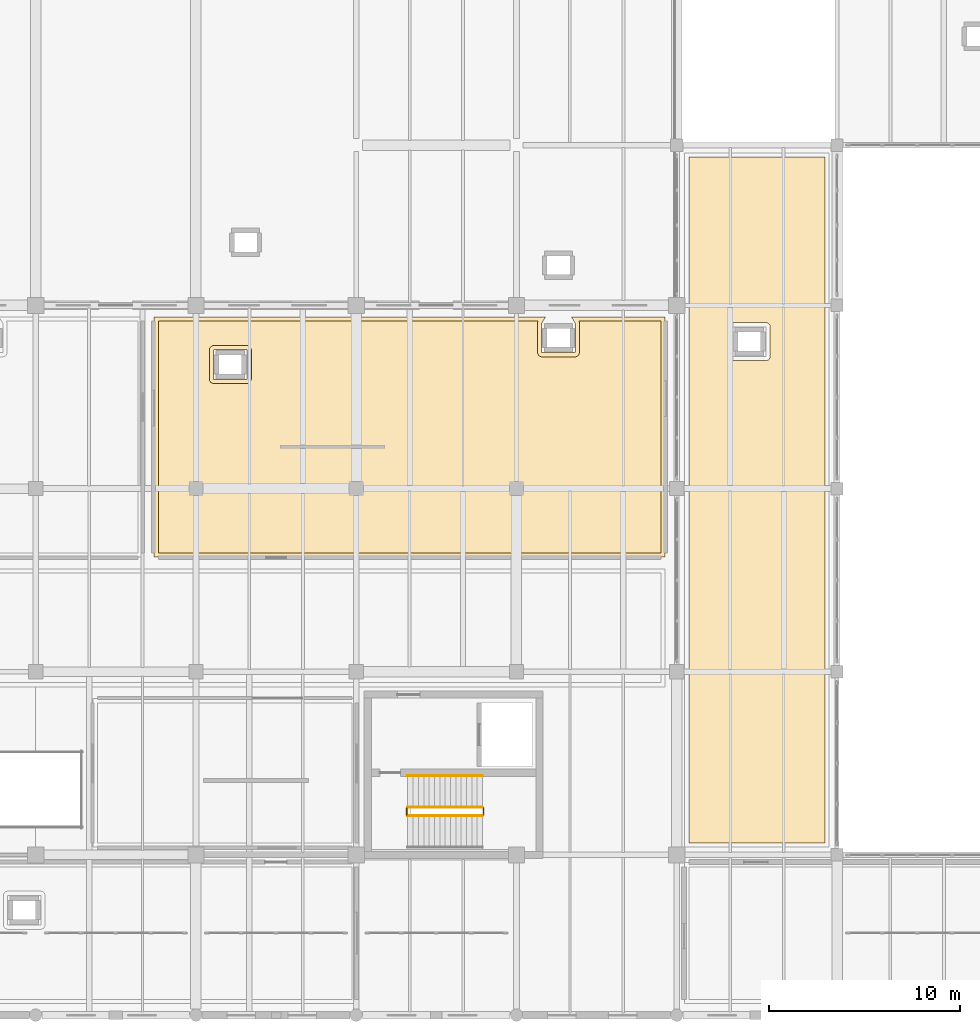
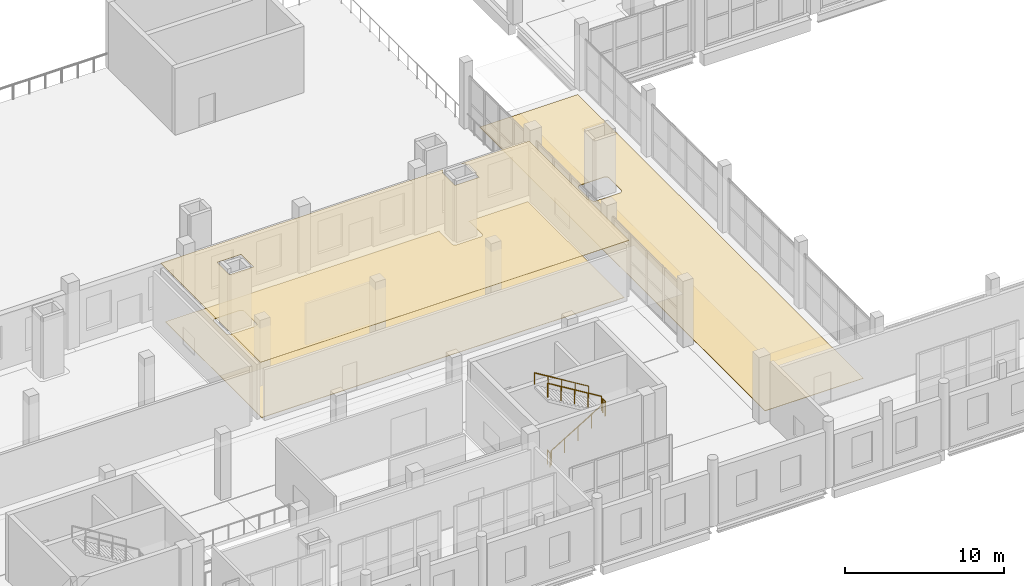
# One storey, part 67 of 73: 5 railings, 3 coverings.
"""IFC4 building model written with IfcOpenShell, lengths in metres."""

import ifcopenshell
import ifcopenshell.guid

model = None  # the IFC model being written
_history = None  # IfcOwnerHistory: only IFC2X3 demands one
_inside = {}  # id of a spatial element -> (the spatial element, [elements in it])
_under = {}  # id of a project, library or spatial element -> (it, [spatial elements below it])
_declared = {}  # id of a project -> (the project, [libraries it declares])
_typed = {}  # id of a type object -> (the type object, [elements of that type])
_made_of = {}  # id of a material, layer set ... -> (it, [elements and type objects made of it])


def new_model(schema):
    """Start an empty IFC model of exactly this schema.

    Asked for "IFC4X3", IfcOpenShell would pick the latest addendum, in which some entities
    have other attributes; the version numbers below select the first issue.
    IFC2X3 requires an IfcOwnerHistory on every rooted entity: one is made here for all.
    """
    global model, _history
    if schema == "IFC4X3":
        model = ifcopenshell.file(schema_version=(4, 3, 0, 0))
    else:
        model = ifcopenshell.file(schema=schema)
    _inside.clear()
    _under.clear()
    _declared.clear()
    _typed.clear()
    _made_of.clear()
    _history = None
    if model.schema == "IFC2X3":
        org = make("IfcOrganization", Name="unknown")
        user = make(
            "IfcPersonAndOrganization",
            ThePerson=make("IfcPerson", FamilyName="unknown"),
            TheOrganization=org,
        )
        app = make(
            "IfcApplication",
            ApplicationDeveloper=org,
            Version="unknown",
            ApplicationFullName="unknown",
            ApplicationIdentifier="unknown",
        )
        _history = make(
            "IfcOwnerHistory",
            OwningUser=user,
            OwningApplication=app,
            ChangeAction="ADDED",
            CreationDate=0,
        )
    return model


def make(cls, **values):
    """One entity of the class cls with the attributes given. An attribute that is None is left unset."""
    return model.create_entity(
        cls, **{name: value for name, value in values.items() if value is not None}
    )


def rooted(cls, **values):
    """An entity with a GlobalId (a new one), such as an element, a storey or a relation."""
    return make(cls, GlobalId=ifcopenshell.guid.new(), OwnerHistory=_history, **values)


def si_unit(unit_type, name, prefix=None):
    """IfcSIUnit, for example si_unit("LENGTHUNIT", "METRE", prefix="MILLI")."""
    return make("IfcSIUnit", UnitType=unit_type, Prefix=prefix, Name=name)


def assignment(units):
    """IfcUnitAssignment: the units of a project."""
    return None if units is None else make("IfcUnitAssignment", Units=units)


def point(xyz):
    """IfcCartesianPoint."""
    return None if xyz is None else make("IfcCartesianPoint", Coordinates=xyz)


def direction(xyz):
    """IfcDirection."""
    return None if xyz is None else make("IfcDirection", DirectionRatios=xyz)


def frame(location, z_axis=None, x_axis=None):
    """IfcAxis2Placement3D, a coordinate frame: its origin and axes. An axis left out is left unset."""
    return make(
        "IfcAxis2Placement3D",
        Location=point(location),
        Axis=direction(z_axis),
        RefDirection=direction(x_axis),
    )


def frame_2d(location, x_axis=None):
    """IfcAxis2Placement2D, a coordinate frame in the plane: its origin and x axis."""
    return make(
        "IfcAxis2Placement2D", Location=point(location), RefDirection=direction(x_axis)
    )


def origin():
    """The frame at (0, 0, 0) with its axes left unset."""
    return frame((0.0, 0.0, 0.0))


def origin_2d():
    """The frame at (0, 0) in the plane with its x axis left unset."""
    return frame_2d((0.0, 0.0))


def place(relative_to, where):
    """IfcLocalPlacement: puts the frame where relative to a parent placement (None: the world)."""
    return make(
        "IfcLocalPlacement", PlacementRelTo=relative_to, RelativePlacement=where
    )


def context(
    kind, dimensions, precision=None, world=None, true_north=None, identifier=None
):
    """IfcGeometricRepresentationContext, for example the 3D "Model" context."""
    return make(
        "IfcGeometricRepresentationContext",
        ContextIdentifier=identifier,
        ContextType=kind,
        CoordinateSpaceDimension=dimensions,
        Precision=precision,
        WorldCoordinateSystem=world,
        TrueNorth=true_north,
    )


def subcontext(parent, identifier, kind, view, scale=None):
    """IfcGeometricRepresentationSubContext, for example "Body" below "Model"."""
    return make(
        "IfcGeometricRepresentationSubContext",
        ContextIdentifier=identifier,
        ContextType=kind,
        ParentContext=parent,
        TargetScale=scale,
        TargetView=view,
    )


def project(units=None, contexts=None):
    """IfcProject with its units and contexts."""
    return rooted(
        "IfcProject",
        Name="project",
        RepresentationContexts=contexts,
        UnitsInContext=assignment(units),
    )


def spatial(cls, under=None, at=None, **own):
    """A site, building, storey or space (cls), placed at a placement, below another one or the project."""
    s = rooted(cls, ObjectPlacement=at, **own)
    if under is not None:
        _under.setdefault(under.id(), (under, []))[1].append(s)
    return s


def polyline(points):
    """IfcPolyline through the points."""
    return make("IfcPolyline", Points=[point(p) for p in points])


def profile(cls, at=None, kind="AREA", **sizes):
    """A parametric profile (cls). Its sizes go by their IFC names, for example OverallWidth=200.0."""
    return make(cls, ProfileType=kind, Position=at, **sizes)


def circle(**sizes):
    """IfcCircleProfileDef."""
    return profile("IfcCircleProfileDef", **sizes)


def outline(outer, holes=None, kind="AREA"):
    """IfcArbitraryClosedProfileDef: a profile drawn as a closed curve; with holes, ...WithVoids."""
    if holes is None:
        return make("IfcArbitraryClosedProfileDef", ProfileType=kind, OuterCurve=outer)
    return make(
        "IfcArbitraryProfileDefWithVoids",
        ProfileType=kind,
        OuterCurve=outer,
        InnerCurves=holes,
    )


def extrude(swept, where, along, depth):
    """IfcExtrudedAreaSolid: the profile swept, set in the frame where, extruded along a direction by depth."""
    return make(
        "IfcExtrudedAreaSolid",
        SweptArea=swept,
        Position=where,
        ExtrudedDirection=direction(along),
        Depth=depth,
    )


def shape(context_of_items, identifier, shape_type, items):
    """IfcShapeRepresentation: the items that make up one representation, for example the "Body"."""
    return make(
        "IfcShapeRepresentation",
        ContextOfItems=context_of_items,
        RepresentationIdentifier=identifier,
        RepresentationType=shape_type,
        Items=items,
    )


def material(Name=None, Category=None):
    """IfcMaterial."""
    return make("IfcMaterial", Name=Name, Category=Category)


def layer(
    of_material, thickness, ventilated=None, Name=None, Category=None, Priority=None
):
    """IfcMaterialLayer: one layer of a wall or slab, of a material (None: an air gap)."""
    return make(
        "IfcMaterialLayer",
        Material=of_material,
        LayerThickness=thickness,
        IsVentilated=ventilated,
        Name=Name,
        Category=Category,
        Priority=Priority,
    )


def layer_set(layers, Name=None):
    """IfcMaterialLayerSet."""
    return make("IfcMaterialLayerSet", MaterialLayers=layers, LayerSetName=Name)


def made_of(thing, what):
    """Note that an element or type object is made of a material, layer set ...; save() writes the relation."""
    if what is not None:
        _made_of.setdefault(what.id(), (what, []))[1].append(thing)
    return thing


def type_object(cls, material=None, **own):
    """A type object (cls), such as IfcWallType, which elements share."""
    return made_of(rooted(cls, **own), material)


def element(
    cls,
    number,
    at=None,
    inside=None,
    cuts=None,
    type_object=None,
    material=None,
    context=None,
    identifier="Body",
    shape_type=None,
    held_by="IfcProductDefinitionShape",
    body=None,
    shapes=None,
    **own,
):
    """One element of the class cls, such as IfcWall. Its Tag is "e" and its number.

    at: its placement. inside: the storey or other place that contains it. cuts: it is an
    opening in that element (IfcRelVoidsElement). A single representation is given by context,
    identifier, shape_type and body (its items); several are given by shapes. held_by: the class
    of the entity that holds the representations. save() writes the other relations.
    """
    e = rooted(cls, Tag="e%d" % number, ObjectPlacement=at, **own)
    if body is not None:
        shapes = [shape(context, identifier, shape_type, body)]
    if shapes is not None:
        e.Representation = make(held_by, Representations=shapes)
    if inside is not None:
        _inside.setdefault(inside.id(), (inside, []))[1].append(e)
    if cuts is not None:
        rooted(
            "IfcRelVoidsElement", RelatingBuildingElement=cuts, RelatedOpeningElement=e
        )
    if type_object is not None:
        _typed.setdefault(type_object.id(), (type_object, []))[1].append(e)
    return made_of(e, material)


def aggregate(whole, parts):
    """IfcRelAggregates: a whole, such as a stair, and the parts it consists of."""
    return rooted("IfcRelAggregates", RelatingObject=whole, RelatedObjects=parts)


def save(model, path):
    """Write the relations noted so far, then the file.

    IfcRelAggregates (storeys below a building ...), IfcRelContainedInSpatialStructure (elements
    in a storey), IfcRelDefinesByType, IfcRelAssociatesMaterial and IfcRelDeclares: one each for
    every whole, place, type object, material and project.
    """
    for whole, parts in _under.values():
        aggregate(whole, parts)
    for where, things in _inside.values():
        rooted(
            "IfcRelContainedInSpatialStructure",
            RelatedElements=things,
            RelatingStructure=where,
        )
    for kind, things in _typed.values():
        rooted("IfcRelDefinesByType", RelatedObjects=things, RelatingType=kind)
    for what, things in _made_of.values():
        rooted("IfcRelAssociatesMaterial", RelatedObjects=things, RelatingMaterial=what)
    for by, libraries in _declared.values():
        rooted("IfcRelDeclares", RelatingContext=by, RelatedDefinitions=libraries)
    model.write(path)


model = new_model("IFC4")

# Units and contexts
model_context = context("Model", 3, precision=1e-05, world=origin(), true_north=direction((0.0, 1.0)))
body_context = subcontext(model_context, "Body", "Model", "MODEL_VIEW")
ifc_project = project(units=[si_unit("LENGTHUNIT", "METRE"), si_unit("AREAUNIT", "SQUARE_METRE"), si_unit("VOLUMEUNIT", "CUBIC_METRE"), si_unit("PLANEANGLEUNIT", "RADIAN"), si_unit("MASSUNIT", "GRAM", prefix="KILO")], contexts=[model_context])

# Site, building, storey
site_placement = place(None, origin())
site = spatial("IfcSite", under=ifc_project, at=site_placement, CompositionType="ELEMENT")
building_placement = place(site_placement, origin())
building = spatial("IfcBuilding", under=site, at=building_placement, Name="Zulmaris Art Gallery", CompositionType="ELEMENT")
storey_placement = place(building_placement, frame((0.0, 0.0, 10.5)))
storey = spatial("IfcBuildingStorey", under=building, at=storey_placement, Name="L02", CompositionType="ELEMENT", Elevation=10.5)

# Coverings
ifc_material_1 = material(Name="Micro-Perforated Gypsum Acoustic Ceiling", Category="gypsum")
ifc_layer_1 = layer(ifc_material_1, 0.02490234375)
ifc_layer_set_1 = layer_set([ifc_layer_1], Name="Micro-Perforated Gypsum Acoustic Ceiling")
covering_type_1 = type_object("IfcCoveringType", Name="COV-CL01", PredefinedType="CEILING", material=ifc_layer_set_1)
covering_1_placement = place(storey_placement, frame((0.0, 0.0, 4.449951171875)))
element("IfcCovering", 1, at=covering_1_placement, inside=storey, type_object=covering_type_1, Name="Terrace Overlook Salon acoustic ceiling", PredefinedType="CEILING", context=body_context, shape_type="SweptSolid", body=[
    extrude(outline(polyline([(75.721435546875, 49.45849609375), (75.720703125, 49.455810546875), (75.720458984375, 49.452880859375), (75.719970703125, 49.444580078125), (75.719970703125, 47.955322265625), (75.720458984375, 47.947021484375), (75.720703125, 47.944091796875), (75.721435546875, 47.94140625), (75.722412109375, 47.938720703125), (75.723876953125, 47.93603515625), (75.725341796875, 47.93359375), (75.72705078125, 47.93115234375), (75.72900390625, 47.928955078125), (75.731201171875, 47.927001953125), (75.7333984375, 47.92529296875), (75.736083984375, 47.923828125), (75.738525390625, 47.922607421875), (75.741455078125, 47.92138671875), (75.744140625, 47.9208984375), (75.7470703125, 47.92041015625), (75.75537109375, 47.919921875), (77.444580078125, 47.919921875), (77.452880859375, 47.92041015625), (77.455810546875, 47.9208984375), (77.45849609375, 47.92138671875), (77.46142578125, 47.922607421875), (77.464111328125, 47.923828125), (77.466552734375, 47.92529296875), (77.468994140625, 47.927001953125), (77.470947265625, 47.928955078125), (77.472900390625, 47.93115234375), (77.474609375, 47.93359375), (77.476318359375, 47.93603515625), (77.4775390625, 47.938720703125), (77.478515625, 47.94140625), (77.479248046875, 47.944091796875), (77.4794921875, 47.947021484375), (77.47998046875, 47.955322265625), (77.47998046875, 49.444580078125), (77.4794921875, 49.452880859375), (77.479248046875, 49.455810546875), (77.478515625, 49.45849609375), (77.4775390625, 49.46142578125), (77.476318359375, 49.464111328125), (77.28076171875, 49.7900390625), (82.18994140625, 49.7900390625), (82.18994140625, 37.2099609375), (55.409912109375, 37.2099609375), (55.409912109375, 49.7900390625), (75.919189453125, 49.7900390625), (75.723876953125, 49.464111328125), (75.722412109375, 49.46142578125), (75.721435546875, 49.45849609375)]), holes=[polyline([(58.54150390625, 48.07861328125), (58.53857421875, 48.077392578125), (58.535888671875, 48.076171875), (58.533447265625, 48.07470703125), (58.531005859375, 48.072998046875), (58.529052734375, 48.071044921875), (58.527099609375, 48.06884765625), (58.525390625, 48.06640625), (58.523681640625, 48.06396484375), (58.5224609375, 48.061279296875), (58.521484375, 48.05859375), (58.520751953125, 48.055908203125), (58.5205078125, 48.052978515625), (58.52001953125, 48.044677734375), (58.52001953125, 46.555419921875), (58.5205078125, 46.547119140625), (58.520751953125, 46.544189453125), (58.521484375, 46.54150390625), (58.5224609375, 46.53857421875), (58.523681640625, 46.535888671875), (58.525390625, 46.533447265625), (58.527099609375, 46.531005859375), (58.529052734375, 46.529052734375), (58.531005859375, 46.527099609375), (58.533447265625, 46.525390625), (58.535888671875, 46.523681640625), (58.53857421875, 46.5224609375), (58.54150390625, 46.521484375), (58.544189453125, 46.520751953125), (58.547119140625, 46.5205078125), (58.555419921875, 46.52001953125), (60.24462890625, 46.52001953125), (60.2529296875, 46.5205078125), (60.255859375, 46.520751953125), (60.258544921875, 46.521484375), (60.261474609375, 46.5224609375), (60.263916015625, 46.523681640625), (60.2666015625, 46.525390625), (60.268798828125, 46.527099609375), (60.27099609375, 46.529052734375), (60.27294921875, 46.531005859375), (60.274658203125, 46.533447265625), (60.276123046875, 46.535888671875), (60.277587890625, 46.53857421875), (60.278564453125, 46.54150390625), (60.279296875, 46.544189453125), (60.279541015625, 46.547119140625), (60.280029296875, 46.555419921875), (60.280029296875, 48.044677734375), (60.279541015625, 48.052978515625), (60.279296875, 48.055908203125), (60.278564453125, 48.05859375), (60.277587890625, 48.061279296875), (60.276123046875, 48.06396484375), (60.274658203125, 48.06640625), (60.27294921875, 48.06884765625), (60.27099609375, 48.071044921875), (60.268798828125, 48.072998046875), (60.2666015625, 48.07470703125), (60.263916015625, 48.076171875), (60.261474609375, 48.077392578125), (60.258544921875, 48.07861328125), (60.255859375, 48.0791015625), (60.2529296875, 48.07958984375), (60.24462890625, 48.080078125), (58.555419921875, 48.080078125), (58.547119140625, 48.07958984375), (58.544189453125, 48.0791015625), (58.54150390625, 48.07861328125)])]), origin(), (0.0, 0.0, 1.0), 0.030029296875),
])
ifc_material_2 = material(Name="Honed Omani Limestone Terrazzo Flooring", Category="masonry")
ifc_layer_2 = layer(ifc_material_2, 0.0400390625)
ifc_layer_set_2 = layer_set([ifc_layer_2], Name="Honed Omani Limestone Terrazzo Flooring")
covering_type_2 = type_object("IfcCoveringType", Name="COV-FL01", PredefinedType="FLOORING", material=ifc_layer_set_2)
covering_2_placement = place(storey_placement, origin())
element("IfcCovering", 2, at=covering_2_placement, inside=storey, type_object=covering_type_2, Name="Terrace Overlook Salon finish flooring", PredefinedType="FLOORING", context=body_context, shape_type="SweptSolid", body=[
    extrude(outline(polyline([(75.529541015625, 49.56787109375), (75.51904296875, 49.545654296875), (75.5107421875, 49.522705078125), (75.5048828125, 49.498779296875), (75.501220703125, 49.474609375), (75.5, 49.449951171875), (75.5, 47.949951171875), (75.501220703125, 47.925537109375), (75.5048828125, 47.901123046875), (75.5107421875, 47.87744140625), (75.51904296875, 47.854248046875), (75.529541015625, 47.832275390625), (75.5419921875, 47.81103515625), (75.556640625, 47.79150390625), (75.5732421875, 47.773193359375), (75.59130859375, 47.756591796875), (75.611083984375, 47.7421875), (75.632080078125, 47.7294921875), (75.654296875, 47.718994140625), (75.677490234375, 47.710693359375), (75.701171875, 47.704833984375), (75.7255859375, 47.701171875), (75.75, 47.699951171875), (77.449951171875, 47.699951171875), (77.474609375, 47.701171875), (77.498779296875, 47.704833984375), (77.522705078125, 47.710693359375), (77.545654296875, 47.718994140625), (77.56787109375, 47.7294921875), (77.5888671875, 47.7421875), (77.608642578125, 47.756591796875), (77.626708984375, 47.773193359375), (77.643310546875, 47.79150390625), (77.657958984375, 47.81103515625), (77.67041015625, 47.832275390625), (77.680908203125, 47.854248046875), (77.689208984375, 47.87744140625), (77.6953125, 47.901123046875), (77.69873046875, 47.925537109375), (77.699951171875, 47.949951171875), (77.699951171875, 49.449951171875), (77.69873046875, 49.474609375), (77.6953125, 49.498779296875), (77.689208984375, 49.522705078125), (77.680908203125, 49.545654296875), (77.67041015625, 49.56787109375), (77.669189453125, 49.570068359375), (81.969970703125, 49.570068359375), (81.969970703125, 37.429931640625), (55.6298828125, 37.429931640625), (55.6298828125, 49.570068359375), (75.53076171875, 49.570068359375), (75.529541015625, 49.56787109375)]), holes=[polyline([(58.525390625, 48.298828125), (58.501220703125, 48.295166015625), (58.477294921875, 48.289306640625), (58.454345703125, 48.281005859375), (58.43212890625, 48.2705078125), (58.4111328125, 48.2578125), (58.391357421875, 48.243408203125), (58.373291015625, 48.226806640625), (58.356689453125, 48.20849609375), (58.342041015625, 48.18896484375), (58.32958984375, 48.167724609375), (58.319091796875, 48.145751953125), (58.310791015625, 48.12255859375), (58.3046875, 48.098876953125), (58.30126953125, 48.074462890625), (58.300048828125, 48.050048828125), (58.300048828125, 46.550048828125), (58.30126953125, 46.525390625), (58.3046875, 46.501220703125), (58.310791015625, 46.477294921875), (58.319091796875, 46.454345703125), (58.32958984375, 46.43212890625), (58.342041015625, 46.4111328125), (58.356689453125, 46.391357421875), (58.373291015625, 46.373291015625), (58.391357421875, 46.356689453125), (58.4111328125, 46.342041015625), (58.43212890625, 46.32958984375), (58.454345703125, 46.319091796875), (58.477294921875, 46.310791015625), (58.501220703125, 46.3046875), (58.525390625, 46.30126953125), (58.550048828125, 46.300048828125), (60.25, 46.300048828125), (60.2744140625, 46.30126953125), (60.298828125, 46.3046875), (60.322509765625, 46.310791015625), (60.345703125, 46.319091796875), (60.367919921875, 46.32958984375), (60.388916015625, 46.342041015625), (60.40869140625, 46.356689453125), (60.4267578125, 46.373291015625), (60.443359375, 46.391357421875), (60.4580078125, 46.4111328125), (60.470458984375, 46.43212890625), (60.48095703125, 46.454345703125), (60.4892578125, 46.477294921875), (60.4951171875, 46.501220703125), (60.498779296875, 46.525390625), (60.5, 46.550048828125), (60.5, 48.050048828125), (60.498779296875, 48.074462890625), (60.4951171875, 48.098876953125), (60.4892578125, 48.12255859375), (60.48095703125, 48.145751953125), (60.470458984375, 48.167724609375), (60.4580078125, 48.18896484375), (60.443359375, 48.20849609375), (60.4267578125, 48.226806640625), (60.40869140625, 48.243408203125), (60.388916015625, 48.2578125), (60.367919921875, 48.2705078125), (60.345703125, 48.281005859375), (60.322509765625, 48.289306640625), (60.298828125, 48.295166015625), (60.2744140625, 48.298828125), (60.25, 48.300048828125), (58.550048828125, 48.300048828125), (58.525390625, 48.298828125)])]), origin(), (0.0, 0.0, 1.0), 0.034912109375),
])
ifc_material_3 = material(Name="Oiled European Oak Gallery Parquet Flooring", Category="timber")
ifc_layer_3 = layer(ifc_material_3, 0.030029296875)
ifc_layer_set_3 = layer_set([ifc_layer_3], Name="Oiled European Oak Gallery Parquet Flooring")
covering_type_3 = type_object("IfcCoveringType", Name="COV-FL02", PredefinedType="FLOORING", material=ifc_layer_set_3)
covering_3_placement = place(storey_placement, origin())
element("IfcCovering", 3, at=covering_3_placement, inside=storey, type_object=covering_type_3, Name="Bridge Miniature Painting Gallery finish flooring", PredefinedType="FLOORING", context=body_context, shape_type="SweptSolid", body=[
    extrude(outline(polyline([(90.570068359375, 22.22998046875), (83.429931640625, 22.22998046875), (83.429931640625, 58.169921875), (90.570068359375, 58.169921875), (90.570068359375, 22.22998046875)]), holes=[polyline([(85.7255859375, 49.498779296875), (85.701171875, 49.4951171875), (85.677490234375, 49.4892578125), (85.654296875, 49.48095703125), (85.632080078125, 49.470458984375), (85.611083984375, 49.4580078125), (85.59130859375, 49.443359375), (85.5732421875, 49.4267578125), (85.556640625, 49.40869140625), (85.5419921875, 49.388916015625), (85.529541015625, 49.367919921875), (85.51904296875, 49.345703125), (85.5107421875, 49.322509765625), (85.5048828125, 49.298828125), (85.501220703125, 49.2744140625), (85.5, 49.25), (85.5, 47.75), (85.501220703125, 47.7255859375), (85.5048828125, 47.701171875), (85.5107421875, 47.677490234375), (85.51904296875, 47.654296875), (85.529541015625, 47.632080078125), (85.5419921875, 47.611083984375), (85.556640625, 47.59130859375), (85.5732421875, 47.5732421875), (85.59130859375, 47.556640625), (85.611083984375, 47.5419921875), (85.632080078125, 47.529541015625), (85.654296875, 47.51904296875), (85.677490234375, 47.5107421875), (85.701171875, 47.5048828125), (85.7255859375, 47.501220703125), (85.75, 47.5), (87.449951171875, 47.5), (87.474609375, 47.501220703125), (87.498779296875, 47.5048828125), (87.522705078125, 47.5107421875), (87.545654296875, 47.51904296875), (87.56787109375, 47.529541015625), (87.5888671875, 47.5419921875), (87.608642578125, 47.556640625), (87.626708984375, 47.5732421875), (87.643310546875, 47.59130859375), (87.657958984375, 47.611083984375), (87.67041015625, 47.632080078125), (87.680908203125, 47.654296875), (87.689208984375, 47.677490234375), (87.6953125, 47.701171875), (87.69873046875, 47.7255859375), (87.699951171875, 47.75), (87.699951171875, 49.25), (87.69873046875, 49.2744140625), (87.6953125, 49.298828125), (87.689208984375, 49.322509765625), (87.680908203125, 49.345703125), (87.67041015625, 49.367919921875), (87.657958984375, 49.388916015625), (87.643310546875, 49.40869140625), (87.626708984375, 49.4267578125), (87.608642578125, 49.443359375), (87.5888671875, 49.4580078125), (87.56787109375, 49.470458984375), (87.545654296875, 49.48095703125), (87.522705078125, 49.4892578125), (87.498779296875, 49.4951171875), (87.474609375, 49.498779296875), (87.449951171875, 49.5), (85.75, 49.5), (85.7255859375, 49.498779296875)])]), origin(), (0.0, 0.0, 1.0), 0.034912109375),
])

# Railings
ifc_material_4 = material(Name="Steel S355J2", Category="steel")
ifc_layer_4 = layer(ifc_material_4, 0.050048828125)
ifc_layer_set_4 = layer_set([ifc_layer_4], Name="Steel S355J2")
railing_type_1 = type_object("IfcRailingType", Name="RAIL-STGRD", PredefinedType="GUARDRAIL", material=ifc_layer_set_4)
railing_1_placement = place(storey_placement, frame((68.699951171875, 23.64990234375, 0.169921875)))
element("IfcRailing", 4, at=railing_1_placement, inside=storey, type_object=railing_type_1, Name="L02 ST2 stair guard 1", PredefinedType="GUARDRAIL", context=body_context, shape_type="SweptSolid", body=[
    extrude(circle(Radius=0.02392578125, at=origin_2d()), frame((0.0, 0.0, 1.076171875), z_axis=(0.854784984964, 0.0, 0.518982301701), x_axis=(0.0, 1.0, 0.0)), (0.0, 0.0, 1.0), 4.586181640625),
    extrude(circle(Radius=0.02099609375, at=origin_2d()), origin(), (0.0, 0.0, 1.0), 1.052001953125),
    extrude(circle(Radius=0.02099609375, at=origin_2d()), frame((0.97998046875, 0.0, 0.594970703125)), (0.0, 0.0, 1.0), 1.052001953125),
    extrude(circle(Radius=0.02099609375, at=origin_2d()), frame((1.9599609375, 0.0, 1.18994140625)), (0.0, 0.0, 1.0), 1.052001953125),
    extrude(circle(Radius=0.02099609375, at=origin_2d()), frame((2.940185546875, 0.0, 1.78515625)), (0.0, 0.0, 1.0), 1.052001953125),
    extrude(circle(Radius=0.02099609375, at=origin_2d()), frame((3.920166015625, 0.0, 2.380126953125)), (0.0, 0.0, 1.0), 1.052001953125),
])
railing_2_placement = place(storey_placement, frame((72.669921875, 23.699951171875, 2.550048828125)))
element("IfcRailing", 5, at=railing_2_placement, inside=storey, type_object=railing_type_1, Name="L02 ST2 stair guard 2", PredefinedType="GUARDRAIL", context=body_context, shape_type="SweptSolid", body=[
    extrude(circle(Radius=0.02392578125, at=origin_2d()), frame((0.0, 0.0, 1.076171875), z_axis=(0.0, 1.0, 0.0), x_axis=(-1.0, 0.0, 0.0)), (0.0, 0.0, 1.0), 0.340087890625),
    extrude(circle(Radius=0.02099609375, at=origin_2d()), origin(), (0.0, 0.0, 1.0), 1.052001953125),
    extrude(circle(Radius=0.02099609375, at=origin_2d()), frame((0.0, 0.340087890625, 0.0)), (0.0, 0.0, 1.0), 1.052001953125),
])
railing_3_placement = place(storey_placement, frame((72.6201171875, 24.090087890625, 2.719970703125)))
element("IfcRailing", 6, at=railing_3_placement, inside=storey, type_object=railing_type_1, Name="L02 ST2 stair guard 3", PredefinedType="GUARDRAIL", context=body_context, shape_type="SweptSolid", body=[
    extrude(circle(Radius=0.02392578125, at=origin_2d()), frame((0.0, 0.0, 1.076171875), z_axis=(-0.854784984964, 0.0, 0.518982301701), x_axis=(0.0, -1.0, 0.0)), (0.0, 0.0, 1.0), 4.586181640625),
    extrude(circle(Radius=0.02099609375, at=origin_2d()), origin(), (0.0, 0.0, 1.0), 1.052001953125),
    extrude(circle(Radius=0.02099609375, at=origin_2d()), frame((-0.97998046875, 0.0, 0.594970703125)), (0.0, 0.0, 1.0), 1.052001953125),
    extrude(circle(Radius=0.02099609375, at=origin_2d()), frame((-1.9599609375, 0.0, 1.18994140625)), (0.0, 0.0, 1.0), 1.052001953125),
    extrude(circle(Radius=0.02099609375, at=origin_2d()), frame((-2.940185546875, 0.0, 1.78515625)), (0.0, 0.0, 1.0), 1.052001953125),
    extrude(circle(Radius=0.02099609375, at=origin_2d()), frame((-3.920166015625, 0.0, 2.380126953125)), (0.0, 0.0, 1.0), 1.052001953125),
])
railing_4_placement = place(storey_placement, frame((68.64990234375, 23.699951171875, 0.0)))
element("IfcRailing", 7, at=railing_4_placement, inside=storey, type_object=railing_type_1, Name="L02 ST2 stair guard 4", PredefinedType="GUARDRAIL", context=body_context, shape_type="SweptSolid", body=[
    extrude(circle(Radius=0.02392578125, at=origin_2d()), frame((0.0, 0.0, 1.076171875), z_axis=(0.0, 1.0, 0.0), x_axis=(-1.0, 0.0, 0.0)), (0.0, 0.0, 1.0), 0.340087890625),
    extrude(circle(Radius=0.02099609375, at=origin_2d()), origin(), (0.0, 0.0, 1.0), 1.052001953125),
    extrude(circle(Radius=0.02099609375, at=origin_2d()), frame((0.0, 0.340087890625, 0.0)), (0.0, 0.0, 1.0), 1.052001953125),
])
ifc_material_5 = material(Name="Brushed Bronze Handrail", Category="steel")
ifc_layer_5 = layer(ifc_material_5, 0.048095703125)
ifc_layer_set_5 = layer_set([ifc_layer_5], Name="Brushed Bronze Handrail")
railing_type_2 = type_object("IfcRailingType", Name="RAIL-STHND", PredefinedType="HANDRAIL", material=ifc_layer_set_5)
railing_5_placement = place(storey_placement, frame((72.6201171875, 25.739990234375, 2.719970703125)))
element("IfcRailing", 8, at=railing_5_placement, inside=storey, type_object=railing_type_2, Name="L02 ST2 stair handrail 2", PredefinedType="HANDRAIL", context=body_context, shape_type="SweptSolid", body=[
    extrude(circle(Radius=0.02392578125, at=origin_2d()), frame((0.0, 0.0, 0.8759765625), z_axis=(-0.854784984964, 0.0, 0.518982301701), x_axis=(0.0, -1.0, 0.0)), (0.0, 0.0, 1.0), 4.586181640625),
    extrude(circle(Radius=0.02099609375, at=origin_2d()), origin(), (0.0, 0.0, 1.0), 0.851806640625),
    extrude(circle(Radius=0.02099609375, at=origin_2d()), frame((-0.97998046875, 0.0, 0.594970703125)), (0.0, 0.0, 1.0), 0.851806640625),
    extrude(circle(Radius=0.02099609375, at=origin_2d()), frame((-1.9599609375, 0.0, 1.18994140625)), (0.0, 0.0, 1.0), 0.851806640625),
    extrude(circle(Radius=0.02099609375, at=origin_2d()), frame((-2.940185546875, 0.0, 1.78515625)), (0.0, 0.0, 1.0), 0.851806640625),
    extrude(circle(Radius=0.02099609375, at=origin_2d()), frame((-3.920166015625, 0.0, 2.380126953125)), (0.0, 0.0, 1.0), 0.851806640625),
])

save(model, "model.ifc")
